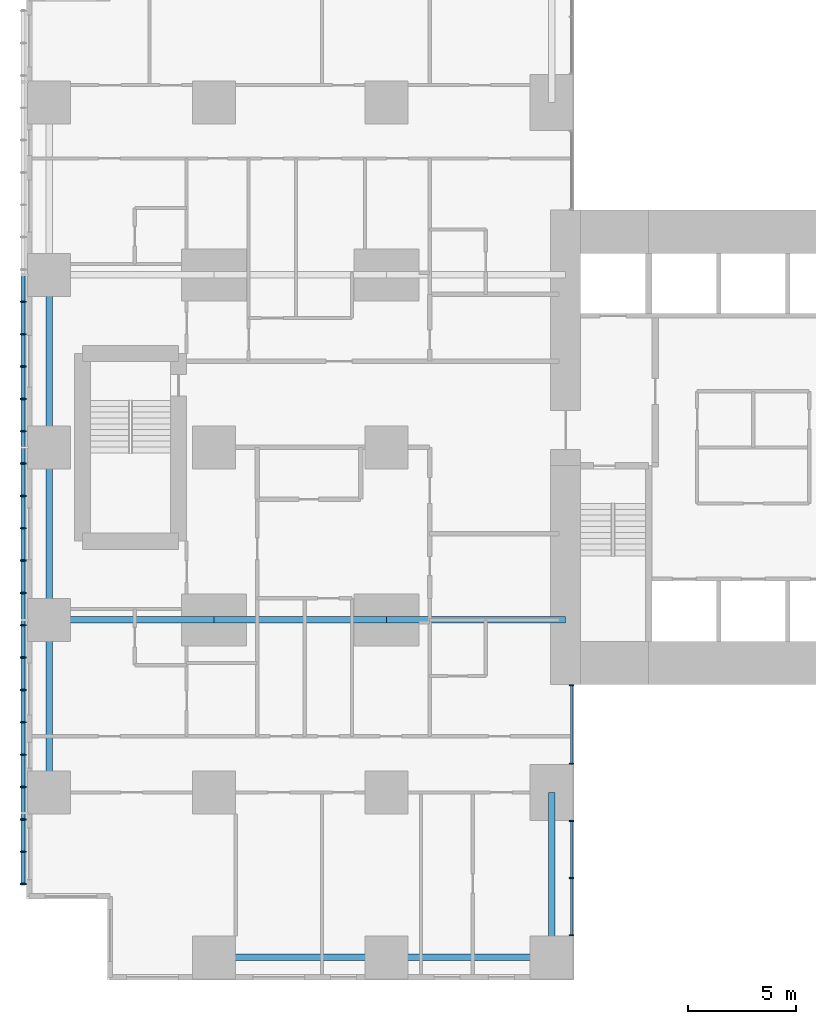
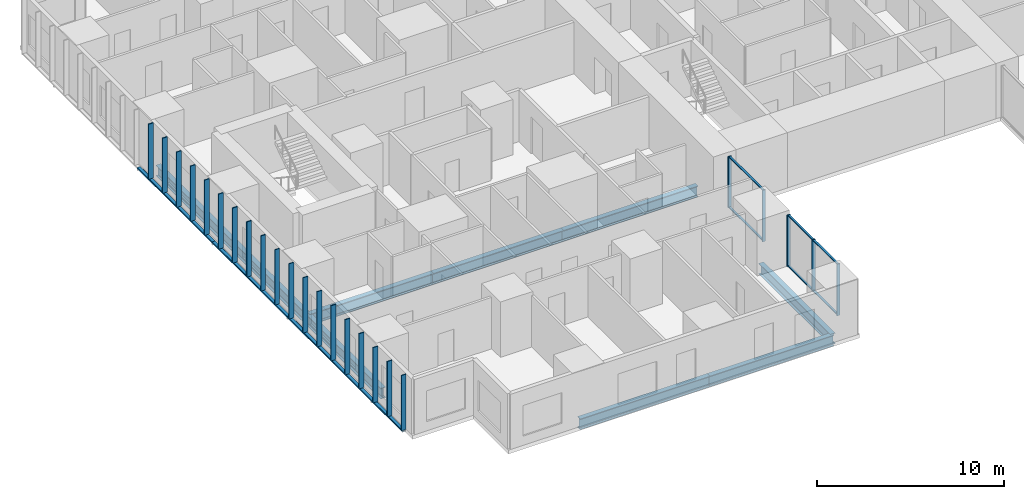
# One storey, part 2 of 20: 33 members, 9 beams, 2 elements without a shape of their own.
"""IFC4 building model written with IfcOpenShell, lengths in metres."""

import ifcopenshell
import ifcopenshell.guid

model = None  # the IFC model being written
_history = None  # IfcOwnerHistory: only IFC2X3 demands one
_inside = {}  # id of a spatial element -> (the spatial element, [elements in it])
_under = {}  # id of a project, library or spatial element -> (it, [spatial elements below it])
_declared = {}  # id of a project -> (the project, [libraries it declares])
_typed = {}  # id of a type object -> (the type object, [elements of that type])
_made_of = {}  # id of a material, layer set ... -> (it, [elements and type objects made of it])


def new_model(schema):
    """Start an empty IFC model of exactly this schema.

    Asked for "IFC4X3", IfcOpenShell would pick the latest addendum, in which some entities
    have other attributes; the version numbers below select the first issue.
    IFC2X3 requires an IfcOwnerHistory on every rooted entity: one is made here for all.
    """
    global model, _history
    if schema == "IFC4X3":
        model = ifcopenshell.file(schema_version=(4, 3, 0, 0))
    else:
        model = ifcopenshell.file(schema=schema)
    _inside.clear()
    _under.clear()
    _declared.clear()
    _typed.clear()
    _made_of.clear()
    _history = None
    if model.schema == "IFC2X3":
        org = make("IfcOrganization", Name="unknown")
        user = make(
            "IfcPersonAndOrganization",
            ThePerson=make("IfcPerson", FamilyName="unknown"),
            TheOrganization=org,
        )
        app = make(
            "IfcApplication",
            ApplicationDeveloper=org,
            Version="unknown",
            ApplicationFullName="unknown",
            ApplicationIdentifier="unknown",
        )
        _history = make(
            "IfcOwnerHistory",
            OwningUser=user,
            OwningApplication=app,
            ChangeAction="ADDED",
            CreationDate=0,
        )
    return model


def make(cls, **values):
    """One entity of the class cls with the attributes given. An attribute that is None is left unset."""
    return model.create_entity(
        cls, **{name: value for name, value in values.items() if value is not None}
    )


def rooted(cls, **values):
    """An entity with a GlobalId (a new one), such as an element, a storey or a relation."""
    return make(cls, GlobalId=ifcopenshell.guid.new(), OwnerHistory=_history, **values)


def si_unit(unit_type, name, prefix=None):
    """IfcSIUnit, for example si_unit("LENGTHUNIT", "METRE", prefix="MILLI")."""
    return make("IfcSIUnit", UnitType=unit_type, Prefix=prefix, Name=name)


def assignment(units):
    """IfcUnitAssignment: the units of a project."""
    return None if units is None else make("IfcUnitAssignment", Units=units)


def point(xyz):
    """IfcCartesianPoint."""
    return None if xyz is None else make("IfcCartesianPoint", Coordinates=xyz)


def direction(xyz):
    """IfcDirection."""
    return None if xyz is None else make("IfcDirection", DirectionRatios=xyz)


def frame(location, z_axis=None, x_axis=None):
    """IfcAxis2Placement3D, a coordinate frame: its origin and axes. An axis left out is left unset."""
    return make(
        "IfcAxis2Placement3D",
        Location=point(location),
        Axis=direction(z_axis),
        RefDirection=direction(x_axis),
    )


def frame_2d(location, x_axis=None):
    """IfcAxis2Placement2D, a coordinate frame in the plane: its origin and x axis."""
    return make(
        "IfcAxis2Placement2D", Location=point(location), RefDirection=direction(x_axis)
    )


def origin():
    """The frame at (0, 0, 0) with its axes left unset."""
    return frame((0.0, 0.0, 0.0))


def origin_2d():
    """The frame at (0, 0) in the plane with its x axis left unset."""
    return frame_2d((0.0, 0.0))


def place(relative_to, where):
    """IfcLocalPlacement: puts the frame where relative to a parent placement (None: the world)."""
    return make(
        "IfcLocalPlacement", PlacementRelTo=relative_to, RelativePlacement=where
    )


def context(
    kind, dimensions, precision=None, world=None, true_north=None, identifier=None
):
    """IfcGeometricRepresentationContext, for example the 3D "Model" context."""
    return make(
        "IfcGeometricRepresentationContext",
        ContextIdentifier=identifier,
        ContextType=kind,
        CoordinateSpaceDimension=dimensions,
        Precision=precision,
        WorldCoordinateSystem=world,
        TrueNorth=true_north,
    )


def subcontext(parent, identifier, kind, view, scale=None):
    """IfcGeometricRepresentationSubContext, for example "Body" below "Model"."""
    return make(
        "IfcGeometricRepresentationSubContext",
        ContextIdentifier=identifier,
        ContextType=kind,
        ParentContext=parent,
        TargetScale=scale,
        TargetView=view,
    )


def project(units=None, contexts=None):
    """IfcProject with its units and contexts."""
    return rooted(
        "IfcProject",
        Name="project",
        RepresentationContexts=contexts,
        UnitsInContext=assignment(units),
    )


def spatial(cls, under=None, at=None, **own):
    """A site, building, storey or space (cls), placed at a placement, below another one or the project."""
    s = rooted(cls, ObjectPlacement=at, **own)
    if under is not None:
        _under.setdefault(under.id(), (under, []))[1].append(s)
    return s


def profile(cls, at=None, kind="AREA", **sizes):
    """A parametric profile (cls). Its sizes go by their IFC names, for example OverallWidth=200.0."""
    return make(cls, ProfileType=kind, Position=at, **sizes)


def rectangle(**sizes):
    """IfcRectangleProfileDef."""
    return profile("IfcRectangleProfileDef", **sizes)


def hollow_rectangle(**sizes):
    """IfcRectangleHollowProfileDef."""
    return profile("IfcRectangleHollowProfileDef", **sizes)


def i_section(**sizes):
    """IfcIShapeProfileDef."""
    return profile("IfcIShapeProfileDef", **sizes)


def extrude(swept, where, along, depth):
    """IfcExtrudedAreaSolid: the profile swept, set in the frame where, extruded along a direction by depth."""
    return make(
        "IfcExtrudedAreaSolid",
        SweptArea=swept,
        Position=where,
        ExtrudedDirection=direction(along),
        Depth=depth,
    )


def shape(context_of_items, identifier, shape_type, items):
    """IfcShapeRepresentation: the items that make up one representation, for example the "Body"."""
    return make(
        "IfcShapeRepresentation",
        ContextOfItems=context_of_items,
        RepresentationIdentifier=identifier,
        RepresentationType=shape_type,
        Items=items,
    )


def material(Name=None, Category=None):
    """IfcMaterial."""
    return make("IfcMaterial", Name=Name, Category=Category)


def layer(
    of_material, thickness, ventilated=None, Name=None, Category=None, Priority=None
):
    """IfcMaterialLayer: one layer of a wall or slab, of a material (None: an air gap)."""
    return make(
        "IfcMaterialLayer",
        Material=of_material,
        LayerThickness=thickness,
        IsVentilated=ventilated,
        Name=Name,
        Category=Category,
        Priority=Priority,
    )


def layer_set(layers, Name=None):
    """IfcMaterialLayerSet."""
    return make("IfcMaterialLayerSet", MaterialLayers=layers, LayerSetName=Name)


def material_profile(
    of_material, cross_section, Name=None, Category=None, Priority=None
):
    """IfcMaterialProfile: a cross section and its material."""
    return make(
        "IfcMaterialProfile",
        Name=Name,
        Material=of_material,
        Profile=cross_section,
        Priority=Priority,
        Category=Category,
    )


def profile_set(profiles, Name=None, composite=None):
    """IfcMaterialProfileSet."""
    return make(
        "IfcMaterialProfileSet",
        Name=Name,
        MaterialProfiles=profiles,
        CompositeProfile=composite,
    )


def made_of(thing, what):
    """Note that an element or type object is made of a material, layer set ...; save() writes the relation."""
    if what is not None:
        _made_of.setdefault(what.id(), (what, []))[1].append(thing)
    return thing


def type_object(cls, material=None, **own):
    """A type object (cls), such as IfcWallType, which elements share."""
    return made_of(rooted(cls, **own), material)


def element(
    cls,
    number,
    at=None,
    inside=None,
    cuts=None,
    type_object=None,
    material=None,
    context=None,
    identifier="Body",
    shape_type=None,
    held_by="IfcProductDefinitionShape",
    body=None,
    shapes=None,
    **own,
):
    """One element of the class cls, such as IfcWall. Its Tag is "e" and its number.

    at: its placement. inside: the storey or other place that contains it. cuts: it is an
    opening in that element (IfcRelVoidsElement). A single representation is given by context,
    identifier, shape_type and body (its items); several are given by shapes. held_by: the class
    of the entity that holds the representations. save() writes the other relations.
    """
    e = rooted(cls, Tag="e%d" % number, ObjectPlacement=at, **own)
    if body is not None:
        shapes = [shape(context, identifier, shape_type, body)]
    if shapes is not None:
        e.Representation = make(held_by, Representations=shapes)
    if inside is not None:
        _inside.setdefault(inside.id(), (inside, []))[1].append(e)
    if cuts is not None:
        rooted(
            "IfcRelVoidsElement", RelatingBuildingElement=cuts, RelatedOpeningElement=e
        )
    if type_object is not None:
        _typed.setdefault(type_object.id(), (type_object, []))[1].append(e)
    return made_of(e, material)


def aggregate(whole, parts):
    """IfcRelAggregates: a whole, such as a stair, and the parts it consists of."""
    return rooted("IfcRelAggregates", RelatingObject=whole, RelatedObjects=parts)


def save(model, path):
    """Write the relations noted so far, then the file.

    IfcRelAggregates (storeys below a building ...), IfcRelContainedInSpatialStructure (elements
    in a storey), IfcRelDefinesByType, IfcRelAssociatesMaterial and IfcRelDeclares: one each for
    every whole, place, type object, material and project.
    """
    for whole, parts in _under.values():
        aggregate(whole, parts)
    for where, things in _inside.values():
        rooted(
            "IfcRelContainedInSpatialStructure",
            RelatedElements=things,
            RelatingStructure=where,
        )
    for kind, things in _typed.values():
        rooted("IfcRelDefinesByType", RelatedObjects=things, RelatingType=kind)
    for what, things in _made_of.values():
        rooted("IfcRelAssociatesMaterial", RelatedObjects=things, RelatingMaterial=what)
    for by, libraries in _declared.values():
        rooted("IfcRelDeclares", RelatingContext=by, RelatedDefinitions=libraries)
    model.write(path)


model = new_model("IFC4")

# Units and contexts
model_context = context("Model", 3, precision=1e-05, world=origin(), true_north=direction((0.0, 1.0)))
body_context = subcontext(model_context, "Body", "Model", "MODEL_VIEW")
ifc_project = project(units=[si_unit("LENGTHUNIT", "METRE"), si_unit("AREAUNIT", "SQUARE_METRE"), si_unit("VOLUMEUNIT", "CUBIC_METRE"), si_unit("PLANEANGLEUNIT", "RADIAN"), si_unit("MASSUNIT", "GRAM", prefix="KILO")], contexts=[model_context])

# Site, building, storey
site_placement = place(None, origin())
site = spatial("IfcSite", under=ifc_project, at=site_placement, CompositionType="ELEMENT")
building_placement = place(site_placement, origin())
building = spatial("IfcBuilding", under=site, at=building_placement, Name="Cleftline Residences", CompositionType="ELEMENT")
storey_placement = place(building_placement, frame((0.0, 0.0, 47.60009765625)))
storey = spatial("IfcBuildingStorey", under=building, at=storey_placement, Name="L11", CompositionType="ELEMENT", Elevation=47.60009765625)

# Members
ifc_material_1 = material(Name="Steel S355, hot-dip galvanised", Category="steel")
ifc_material_profile_1 = material_profile(ifc_material_1, hollow_rectangle(XDim=0.10009765625, YDim=0.199951171875, WallThickness=0.008056640625, InnerFilletRadius=0.008056640625, OuterFilletRadius=0.011962890625, at=origin_2d()))
ifc_profile_set_1 = profile_set([ifc_material_profile_1], Name="Steel S355, hot-dip galvanised")
member_type_1 = type_object("IfcMemberType", Name="BAGUETTE CARRIER RHS 200X100X8", PredefinedType="USERDEFINED", material=ifc_profile_set_1)
for number, where, z_axis, x_axis, name in (
    (1, (-0.85009765625, 32.0, -0.050048828125), (0.0, -1.0, 0.0), (0.0, 0.0, 1.0), "Baguette carrier"),
    (2, (-0.85009765625, 24.0, -0.050048828125), (0.0, -1.0, 0.0), (0.0, 0.0, 1.0), "Baguette carrier"),
):
    element("IfcMember", number, at=place(storey_placement, frame(where, z_axis=z_axis, x_axis=x_axis)), inside=storey, type_object=member_type_1, Name=name, ObjectType="BAGUETTE CARRIER", PredefinedType="USERDEFINED", context=body_context, shape_type="SweptSolid", body=[
        extrude(hollow_rectangle(XDim=0.10009765625, YDim=0.199951171875, WallThickness=0.008056640625, InnerFilletRadius=0.008056640625, OuterFilletRadius=0.011962890625, at=origin_2d()), origin(), (0.0, 0.0, 1.0), 8.0),
    ])
member_1_placement = place(storey_placement, frame((-0.85009765625, 16.0, -0.050048828125), z_axis=(0.0, -1.0, 0.0), x_axis=(0.0, 0.0, 1.0)))
element("IfcMember", 3, at=member_1_placement, inside=storey, type_object=member_type_1, Name="Baguette carrier", ObjectType="BAGUETTE CARRIER", PredefinedType="USERDEFINED", context=body_context, shape_type="SweptSolid", body=[
    extrude(hollow_rectangle(XDim=0.10009765625, YDim=0.199951171875, WallThickness=0.008056640625, InnerFilletRadius=0.008056640625, OuterFilletRadius=0.011962890625, at=origin_2d()), origin(), (0.0, 0.0, 1.0), 12.300048828125),
])

# Beams
ifc_material_2 = material(Name="Steel S355", Category="steel")
ifc_material_profile_2 = material_profile(ifc_material_2, i_section(OverallWidth=0.300048828125, OverallDepth=0.699951171875, WebThickness=0.01708984375, FlangeThickness=0.031982421875, FilletRadius=0.027099609375, at=origin_2d()))
ifc_profile_set_2 = profile_set([ifc_material_profile_2], Name="Steel S355")
beam_type_1 = type_object("IfcBeamType", Name="BEAM HEB 700", PredefinedType="BEAM", material=ifc_profile_set_2)
for number, where, z_axis, x_axis, name in (
    (4, (0.35009765625, 8.0, -0.60009765625), (0.0, 1.0, 0.0), (-1.0, 0.0, 0.0), "Edge beam"),
    (5, (0.35009765625, 16.0, -0.60009765625), (0.0, 1.0, 0.0), (-1.0, 0.0, 0.0), "Edge beam"),
    (6, (0.35009765625, 24.0, -0.60009765625), (0.0, 1.0, 0.0), (-1.0, 0.0, 0.0), "Edge beam"),
    (7, (8.0, 0.35009765625, -0.60009765625), (1.0, 0.0, 0.0), (0.0, 1.0, 0.0), "Edge beam"),
):
    element("IfcBeam", number, at=place(storey_placement, frame(where, z_axis=z_axis, x_axis=x_axis)), inside=storey, type_object=beam_type_1, Name=name, PredefinedType="BEAM", context=body_context, shape_type="SweptSolid", body=[
        extrude(i_section(OverallWidth=0.300048828125, OverallDepth=0.699951171875, WebThickness=0.01708984375, FlangeThickness=0.031982421875, FilletRadius=0.027099609375, at=origin_2d()), origin(), (0.0, 0.0, 1.0), 8.0),
    ])
for number, where, z_axis, x_axis, name in (
    (8, (16.0, 0.35009765625, -0.60009765625), (1.0, 0.0, 0.0), (0.0, 1.0, 0.0), "Edge beam"),
    (9, (23.64990234375, 0.35009765625, -0.60009765625), (0.0, 1.0, 0.0), (-1.0, 0.0, 0.0), "Edge beam"),
):
    element("IfcBeam", number, at=place(storey_placement, frame(where, z_axis=z_axis, x_axis=x_axis)), inside=storey, type_object=beam_type_1, Name=name, PredefinedType="BEAM", context=body_context, shape_type="SweptSolid", body=[
        extrude(i_section(OverallWidth=0.300048828125, OverallDepth=0.699951171875, WebThickness=0.01708984375, FlangeThickness=0.031982421875, FilletRadius=0.027099609375, at=origin_2d()), origin(), (0.0, 0.0, 1.0), 7.64990234375),
    ])
ifc_material_3 = material(Name="Steel S355", Category="steel")
ifc_material_profile_3 = material_profile(ifc_material_3, i_section(OverallWidth=0.303955078125, OverallDepth=0.716064453125, WebThickness=0.02099609375, FlangeThickness=0.0400390625, FilletRadius=0.027099609375, at=origin_2d()))
ifc_profile_set_3 = profile_set([ifc_material_profile_3], Name="Steel S355")
beam_type_2 = type_object("IfcBeamType", Name="BEAM HEM 700", PredefinedType="BEAM", material=ifc_profile_set_3)
beam_1_placement = place(storey_placement, frame((0.35009765625, 16.0, -0.608154296875), z_axis=(1.0, 0.0, 0.0), x_axis=(0.0, 1.0, 0.0)))
element("IfcBeam", 10, at=beam_1_placement, inside=storey, type_object=beam_type_2, Name="Band beam", PredefinedType="BEAM", context=body_context, shape_type="SweptSolid", body=[
    extrude(i_section(OverallWidth=0.303955078125, OverallDepth=0.716064453125, WebThickness=0.02099609375, FlangeThickness=0.0400390625, FilletRadius=0.027099609375, at=origin_2d()), origin(), (0.0, 0.0, 1.0), 7.64990234375),
])
beam_2_placement = place(storey_placement, frame((8.0, 16.0, -0.608154296875), z_axis=(1.0, 0.0, 0.0), x_axis=(0.0, 1.0, 0.0)))
element("IfcBeam", 11, at=beam_2_placement, inside=storey, type_object=beam_type_2, Name="Band beam", PredefinedType="BEAM", context=body_context, shape_type="SweptSolid", body=[
    extrude(i_section(OverallWidth=0.303955078125, OverallDepth=0.716064453125, WebThickness=0.02099609375, FlangeThickness=0.0400390625, FilletRadius=0.027099609375, at=origin_2d()), origin(), (0.0, 0.0, 1.0), 8.0),
])
beam_3_placement = place(storey_placement, frame((16.0, 16.0, -0.608154296875), z_axis=(1.0, 0.0, 0.0), x_axis=(0.0, 1.0, 0.0)))
element("IfcBeam", 12, at=beam_3_placement, inside=storey, type_object=beam_type_2, Name="Band beam", PredefinedType="BEAM", context=body_context, shape_type="SweptSolid", body=[
    extrude(i_section(OverallWidth=0.303955078125, OverallDepth=0.716064453125, WebThickness=0.02099609375, FlangeThickness=0.0400390625, FilletRadius=0.027099609375, at=origin_2d()), origin(), (0.0, 0.0, 1.0), 8.300048828125),
])

# Curtain wall, members
ifc_material_4 = material(Name="Aluminium framed curtain wall", Category="aluminium")
ifc_layer = layer(ifc_material_4, 0.199951171875)
ifc_layer_set = layer_set([ifc_layer], Name="CW1 CLEFT GLAZING")
curtain_wall_type = type_object("IfcCurtainWallType", Name="CW1 CLEFT GLAZING", PredefinedType="NOTDEFINED", material=ifc_layer_set)
curtain_wall_1_placement = place(storey_placement, origin())
curtain_wall_1 = element("IfcCurtainWall", 13, at=curtain_wall_1_placement, inside=storey, type_object=curtain_wall_type, Name="Curtain wall CW1", PredefinedType="NOTDEFINED")
ifc_material_5 = material(Name="Aluminium mullion", Category="aluminium")
ifc_material_profile_4 = material_profile(ifc_material_5, rectangle(XDim=0.199951171875, YDim=0.06005859375, at=origin_2d()))
ifc_profile_set_4 = profile_set([ifc_material_profile_4], Name="Aluminium mullion")
member_type_2 = type_object("IfcMemberType", Name="CW1 MULLION", PredefinedType="MULLION", material=ifc_profile_set_4)
member_2_placement = place(storey_placement, frame((24.574951171875, 1.3798828125, 0.0), z_axis=(0.0, 0.0, 1.0), x_axis=(-1.0, 0.0, 0.0)))
member_2 = element("IfcMember", 14, at=member_2_placement, type_object=member_type_2, Name="CW1 mullion 1", PredefinedType="MULLION", context=body_context, shape_type="SweptSolid", body=[
    extrude(rectangle(XDim=0.199951171875, YDim=0.06005859375, at=origin_2d()), origin(), (0.0, 0.0, 1.0), 3.349853515625),
])
member_3_placement = place(storey_placement, frame((24.574951171875, 4.02490234375, 0.0), z_axis=(0.0, 0.0, 1.0), x_axis=(-1.0, 0.0, 0.0)))
member_3 = element("IfcMember", 15, at=member_3_placement, type_object=member_type_2, Name="CW1 mullion 2", PredefinedType="MULLION", context=body_context, shape_type="SweptSolid", body=[
    extrude(rectangle(XDim=0.199951171875, YDim=0.06005859375, at=origin_2d()), origin(), (0.0, 0.0, 1.0), 3.349853515625),
])
member_4_placement = place(storey_placement, frame((24.574951171875, 6.669921875, 0.0), z_axis=(0.0, 0.0, 1.0), x_axis=(-1.0, 0.0, 0.0)))
member_4 = element("IfcMember", 16, at=member_4_placement, type_object=member_type_2, Name="CW1 mullion 3", PredefinedType="MULLION", context=body_context, shape_type="SweptSolid", body=[
    extrude(rectangle(XDim=0.199951171875, YDim=0.06005859375, at=origin_2d()), origin(), (0.0, 0.0, 1.0), 3.349853515625),
])

curtain_wall_2_placement = place(storey_placement, origin())
curtain_wall_2 = element("IfcCurtainWall", 17, at=curtain_wall_2_placement, inside=storey, type_object=curtain_wall_type, Name="Curtain wall CW1", PredefinedType="NOTDEFINED")
member_5_placement = place(storey_placement, frame((24.574951171875, 9.330078125, 0.0), z_axis=(0.0, 0.0, 1.0), x_axis=(-1.0, 0.0, 0.0)))
member_5 = element("IfcMember", 18, at=member_5_placement, type_object=member_type_2, Name="CW1 mullion 1", PredefinedType="MULLION", context=body_context, shape_type="SweptSolid", body=[
    extrude(rectangle(XDim=0.199951171875, YDim=0.06005859375, at=origin_2d()), origin(), (0.0, 0.0, 1.0), 3.349853515625),
])
member_6_placement = place(storey_placement, frame((24.574951171875, 12.969970703125, 0.0), z_axis=(0.0, 0.0, 1.0), x_axis=(-1.0, 0.0, 0.0)))
member_6 = element("IfcMember", 19, at=member_6_placement, type_object=member_type_2, Name="CW1 mullion 2", PredefinedType="MULLION", context=body_context, shape_type="SweptSolid", body=[
    extrude(rectangle(XDim=0.199951171875, YDim=0.06005859375, at=origin_2d()), origin(), (0.0, 0.0, 1.0), 3.349853515625),
])

# Member
ifc_material_6 = material(Name="Aluminium transom", Category="aluminium")
ifc_material_profile_5 = material_profile(ifc_material_6, rectangle(XDim=0.1201171875, YDim=0.06005859375, at=origin_2d()))
ifc_profile_set_5 = profile_set([ifc_material_profile_5], Name="Aluminium transom")
member_type_3 = type_object("IfcMemberType", Name="CW1 TRANSOM", PredefinedType="USERDEFINED", material=ifc_profile_set_5)
member_7_placement = place(storey_placement, frame((24.574951171875, 1.409912109375, 0.02978515625), z_axis=(0.0, 1.0, 0.0), x_axis=(-1.0, 0.0, 0.0)))
member_7 = element("IfcMember", 20, at=member_7_placement, type_object=member_type_3, Name="CW1 transom 1.1", ObjectType="TRANSOM", PredefinedType="USERDEFINED", context=body_context, shape_type="SweptSolid", body=[
    extrude(rectangle(XDim=0.1201171875, YDim=0.06005859375, at=origin_2d()), origin(), (0.0, 0.0, 1.0), 2.585205078125),
])

member_8_placement = place(storey_placement, frame((24.574951171875, 1.409912109375, 3.31982421875), z_axis=(0.0, 1.0, 0.0), x_axis=(-1.0, 0.0, 0.0)))
member_8 = element("IfcMember", 21, at=member_8_placement, type_object=member_type_3, Name="CW1 transom 1.2", ObjectType="TRANSOM", PredefinedType="USERDEFINED", context=body_context, shape_type="SweptSolid", body=[
    extrude(rectangle(XDim=0.1201171875, YDim=0.06005859375, at=origin_2d()), origin(), (0.0, 0.0, 1.0), 2.585205078125),
])

member_9_placement = place(storey_placement, frame((24.574951171875, 4.054931640625, 0.02978515625), z_axis=(0.0, 1.0, 0.0), x_axis=(-1.0, 0.0, 0.0)))
member_9 = element("IfcMember", 22, at=member_9_placement, type_object=member_type_3, Name="CW1 transom 2.1", ObjectType="TRANSOM", PredefinedType="USERDEFINED", context=body_context, shape_type="SweptSolid", body=[
    extrude(rectangle(XDim=0.1201171875, YDim=0.06005859375, at=origin_2d()), origin(), (0.0, 0.0, 1.0), 2.5849609375),
])

member_10_placement = place(storey_placement, frame((24.574951171875, 4.054931640625, 3.31982421875), z_axis=(0.0, 1.0, 0.0), x_axis=(-1.0, 0.0, 0.0)))
member_10 = element("IfcMember", 23, at=member_10_placement, type_object=member_type_3, Name="CW1 transom 2.2", ObjectType="TRANSOM", PredefinedType="USERDEFINED", context=body_context, shape_type="SweptSolid", body=[
    extrude(rectangle(XDim=0.1201171875, YDim=0.06005859375, at=origin_2d()), origin(), (0.0, 0.0, 1.0), 2.5849609375),
])

aggregate(curtain_wall_1, [member_2, member_3, member_4, member_7, member_8, member_9, member_10])

member_11_placement = place(storey_placement, frame((24.574951171875, 9.360107421875, 0.02978515625), z_axis=(0.0, 1.0, 0.0), x_axis=(-1.0, 0.0, 0.0)))
member_11 = element("IfcMember", 24, at=member_11_placement, type_object=member_type_3, Name="CW1 transom 1.1", ObjectType="TRANSOM", PredefinedType="USERDEFINED", context=body_context, shape_type="SweptSolid", body=[
    extrude(rectangle(XDim=0.1201171875, YDim=0.06005859375, at=origin_2d()), origin(), (0.0, 0.0, 1.0), 3.579833984375),
])

member_12_placement = place(storey_placement, frame((24.574951171875, 9.360107421875, 3.31982421875), z_axis=(0.0, 1.0, 0.0), x_axis=(-1.0, 0.0, 0.0)))
member_12 = element("IfcMember", 25, at=member_12_placement, type_object=member_type_3, Name="CW1 transom 1.2", ObjectType="TRANSOM", PredefinedType="USERDEFINED", context=body_context, shape_type="SweptSolid", body=[
    extrude(rectangle(XDim=0.1201171875, YDim=0.06005859375, at=origin_2d()), origin(), (0.0, 0.0, 1.0), 3.579833984375),
])

aggregate(curtain_wall_2, [member_5, member_6, member_11, member_12])

# Members
ifc_material_7 = material(Name="Extruded terracotta", Category="masonry")
ifc_material_profile_6 = material_profile(ifc_material_7, rectangle(XDim=0.06005859375, YDim=0.300048828125, at=origin_2d()))
ifc_profile_set_6 = profile_set([ifc_material_profile_6], Name="Extruded terracotta")
member_type_4 = type_object("IfcMemberType", Name="TERRACOTTA BAGUETTE 60X300", PredefinedType="USERDEFINED", material=ifc_profile_set_6)
for number, where, z_axis, x_axis, name in (
    (26, (-0.85009765625, 30.75, 0.0), (0.0, 0.0, 1.0), (0.0, 1.0, 0.0), "Terracotta baguette"),
    (27, (-0.85009765625, 29.25, 0.0), (0.0, 0.0, 1.0), (0.0, 1.0, 0.0), "Terracotta baguette"),
    (28, (-0.85009765625, 27.75, 0.0), (0.0, 0.0, 1.0), (0.0, 1.0, 0.0), "Terracotta baguette"),
    (29, (-0.85009765625, 26.25, 0.0), (0.0, 0.0, 1.0), (0.0, 1.0, 0.0), "Terracotta baguette"),
    (30, (-0.85009765625, 24.75, 0.0), (0.0, 0.0, 1.0), (0.0, 1.0, 0.0), "Terracotta baguette"),
    (31, (-0.85009765625, 23.25, 0.0), (0.0, 0.0, 1.0), (0.0, 1.0, 0.0), "Terracotta baguette"),
    (32, (-0.85009765625, 21.75, 0.0), (0.0, 0.0, 1.0), (0.0, 1.0, 0.0), "Terracotta baguette"),
    (33, (-0.85009765625, 20.25, 0.0), (0.0, 0.0, 1.0), (0.0, 1.0, 0.0), "Terracotta baguette"),
    (34, (-0.85009765625, 18.75, 0.0), (0.0, 0.0, 1.0), (0.0, 1.0, 0.0), "Terracotta baguette"),
    (35, (-0.85009765625, 17.25, 0.0), (0.0, 0.0, 1.0), (0.0, 1.0, 0.0), "Terracotta baguette"),
    (36, (-0.85009765625, 15.75, 0.0), (0.0, 0.0, 1.0), (0.0, 1.0, 0.0), "Terracotta baguette"),
    (37, (-0.85009765625, 14.25, 0.0), (0.0, 0.0, 1.0), (0.0, 1.0, 0.0), "Terracotta baguette"),
    (38, (-0.85009765625, 12.75, 0.0), (0.0, 0.0, 1.0), (0.0, 1.0, 0.0), "Terracotta baguette"),
    (39, (-0.85009765625, 11.25, 0.0), (0.0, 0.0, 1.0), (0.0, 1.0, 0.0), "Terracotta baguette"),
    (40, (-0.85009765625, 9.75, 0.0), (0.0, 0.0, 1.0), (0.0, 1.0, 0.0), "Terracotta baguette"),
    (41, (-0.85009765625, 8.25, 0.0), (0.0, 0.0, 1.0), (0.0, 1.0, 0.0), "Terracotta baguette"),
    (42, (-0.85009765625, 6.75, 0.0), (0.0, 0.0, 1.0), (0.0, 1.0, 0.0), "Terracotta baguette"),
    (43, (-0.85009765625, 5.25, 0.0), (0.0, 0.0, 1.0), (0.0, 1.0, 0.0), "Terracotta baguette"),
    (44, (-0.85009765625, 3.75, 0.0), (0.0, 0.0, 1.0), (0.0, 1.0, 0.0), "Terracotta baguette"),
):
    element("IfcMember", number, at=place(storey_placement, frame(where, z_axis=z_axis, x_axis=x_axis)), inside=storey, type_object=member_type_4, Name=name, ObjectType="BAGUETTE", PredefinedType="USERDEFINED", context=body_context, shape_type="SweptSolid", body=[
        extrude(rectangle(XDim=0.06005859375, YDim=0.300048828125, at=origin_2d()), origin(), (0.0, 0.0, 1.0), 3.599853515625),
    ])

save(model, "model.ifc")
